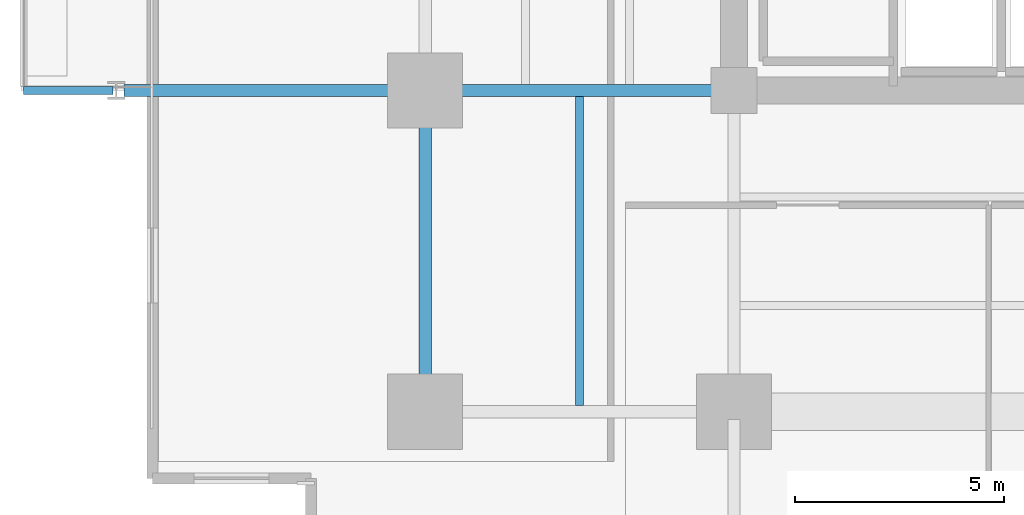
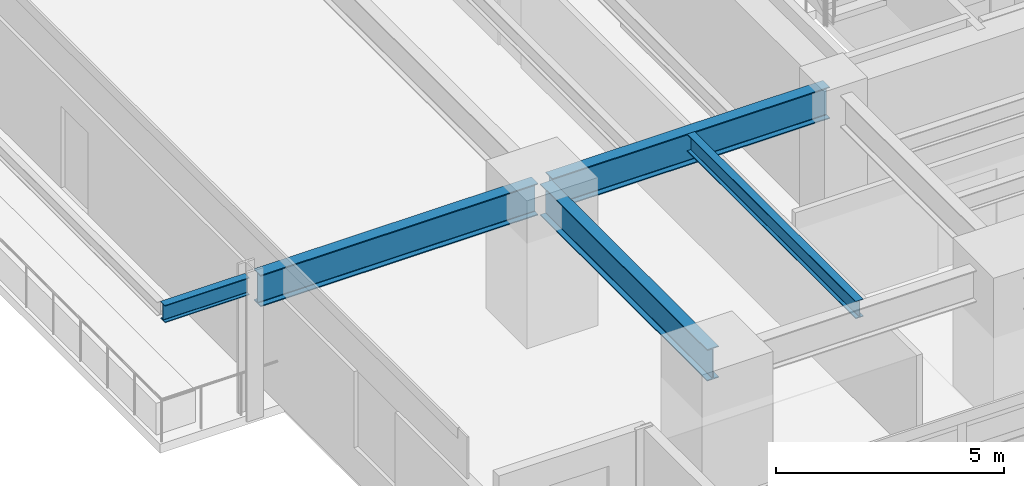
# One storey, part 3 of 21: 5 beams.
"""IFC4 building model written with IfcOpenShell, lengths in metres."""

from ifc_helpers import new_model, si_unit, direction, frame, origin, origin_2d, place, context, subcontext, project, spatial, i_section, extrude, material, material_profile, profile_set, type_object, element, save


model = new_model("IFC4")

# Units and contexts
model_context = context("Model", 3, precision=1e-05, world=origin(), true_north=direction((0.0, 1.0)))
body_context = subcontext(model_context, "Body", "Model", "MODEL_VIEW")
ifc_project = project(units=[si_unit("LENGTHUNIT", "METRE"), si_unit("AREAUNIT", "SQUARE_METRE"), si_unit("VOLUMEUNIT", "CUBIC_METRE"), si_unit("PLANEANGLEUNIT", "RADIAN"), si_unit("MASSUNIT", "GRAM", prefix="KILO")], contexts=[model_context])

# Site, building, storey
site_placement = place(None, origin())
site = spatial("IfcSite", under=ifc_project, at=site_placement, CompositionType="ELEMENT")
building_placement = place(site_placement, origin())
building = spatial("IfcBuilding", under=site, at=building_placement, Name="Kovane Verandah Tower", CompositionType="ELEMENT")
storey_placement = place(building_placement, frame((0.0, 0.0, 31.60009765625)))
storey = spatial("IfcBuildingStorey", under=building, at=storey_placement, Name="L06", CompositionType="ELEMENT", Elevation=31.60009765625)

# Beams
ifc_material = material(Name="Steel S355", Category="steel")
ifc_material_profile_1 = material_profile(ifc_material, i_section(OverallWidth=0.293701171875, OverallDepth=0.850830078125, WebThickness=0.01611328125, FlangeThickness=0.02685546875, FilletRadius=0.017822265625, at=origin_2d()), Name="UB838x292x226")
ifc_profile_set_1 = profile_set([ifc_material_profile_1], Name="Steel S355")
beam_type_1 = type_object("IfcBeamType", Name="BM-UB838x226", PredefinedType="BEAM", material=ifc_profile_set_1)
beam_1_placement = place(storey_placement, frame((21.60009765625, 10.97998046875, 3.33447265625), z_axis=(0.0, 1.0, 0.0), x_axis=(-1.0, 0.0, 0.0)))
element("IfcBeam", 1, at=beam_1_placement, inside=storey, type_object=beam_type_1, Name="L06 Primary Tower Girder G-RW1", PredefinedType="BEAM", context=body_context, shape_type="SweptSolid", body=[
    extrude(i_section(OverallWidth=0.293701171875, OverallDepth=0.850830078125, WebThickness=0.01611328125, FlangeThickness=0.02685546875, FilletRadius=0.017822265625, at=origin_2d()), origin(), (0.0, 0.0, 1.0), 7.340087890625),
])
for number, where, z_axis, x_axis, name in (
    (2, (28.820068359375, 18.5, 3.33447265625), (-1.0, 0.0, 0.0), (0.0, -1.0, 0.0), "L06 Primary Tower Girder G-W1"),
    (3, (21.419921875, 18.5, 3.33447265625), (-1.0, 0.0, 0.0), (0.0, -1.0, 0.0), "L06 Primary Tower Girder G-VW1"),
):
    element("IfcBeam", number, at=place(storey_placement, frame(where, z_axis=z_axis, x_axis=x_axis)), inside=storey, type_object=beam_type_1, Name=name, PredefinedType="BEAM", context=body_context, shape_type="SweptSolid", body=[
        extrude(i_section(OverallWidth=0.293701171875, OverallDepth=0.850830078125, WebThickness=0.01611328125, FlangeThickness=0.02685546875, FilletRadius=0.017822265625, at=origin_2d()), origin(), (0.0, 0.0, 1.0), 7.0400390625),
    ])
ifc_material_profile_2 = material_profile(ifc_material, i_section(OverallWidth=0.19287109375, OverallDepth=0.46728515625, WebThickness=0.011474609375, FlangeThickness=0.01953125, FilletRadius=0.01025390625, at=origin_2d()), Name="UB457x191x98")
ifc_profile_set_2 = profile_set([ifc_material_profile_2], Name="Steel S355")
beam_type_2 = type_object("IfcBeamType", Name="JST-UB457x98", PredefinedType="JOIST", material=ifc_profile_set_2)
beam_2_placement = place(storey_placement, frame((25.300048828125, 10.94482421875, 3.5263671875), z_axis=(0.0, 1.0, 0.0), x_axis=(-1.0, 0.0, 0.0)))
element("IfcBeam", 4, at=beam_2_placement, inside=storey, type_object=beam_type_2, Name="L06 Secondary Composite Joist J-SW1", PredefinedType="JOIST", context=body_context, shape_type="SweptSolid", body=[
    extrude(i_section(OverallWidth=0.19287109375, OverallDepth=0.46728515625, WebThickness=0.011474609375, FlangeThickness=0.01953125, FilletRadius=0.01025390625, at=origin_2d()), origin(), (0.0, 0.0, 1.0), 7.41015625),
])
beam_3_placement = place(storey_placement, frame((14.1201171875, 18.5, 3.5263671875), z_axis=(-1.0, 0.0, 0.0), x_axis=(0.0, -1.0, 0.0)))
element("IfcBeam", 5, at=beam_3_placement, inside=storey, type_object=beam_type_2, Name="L06 West Planter Girder 1", PredefinedType="JOIST", context=body_context, shape_type="SweptSolid", body=[
    extrude(i_section(OverallWidth=0.19287109375, OverallDepth=0.46728515625, WebThickness=0.011474609375, FlangeThickness=0.01953125, FilletRadius=0.01025390625, at=origin_2d()), origin(), (0.0, 0.0, 1.0), 2.140625),
])

save(model, "model.ifc")
